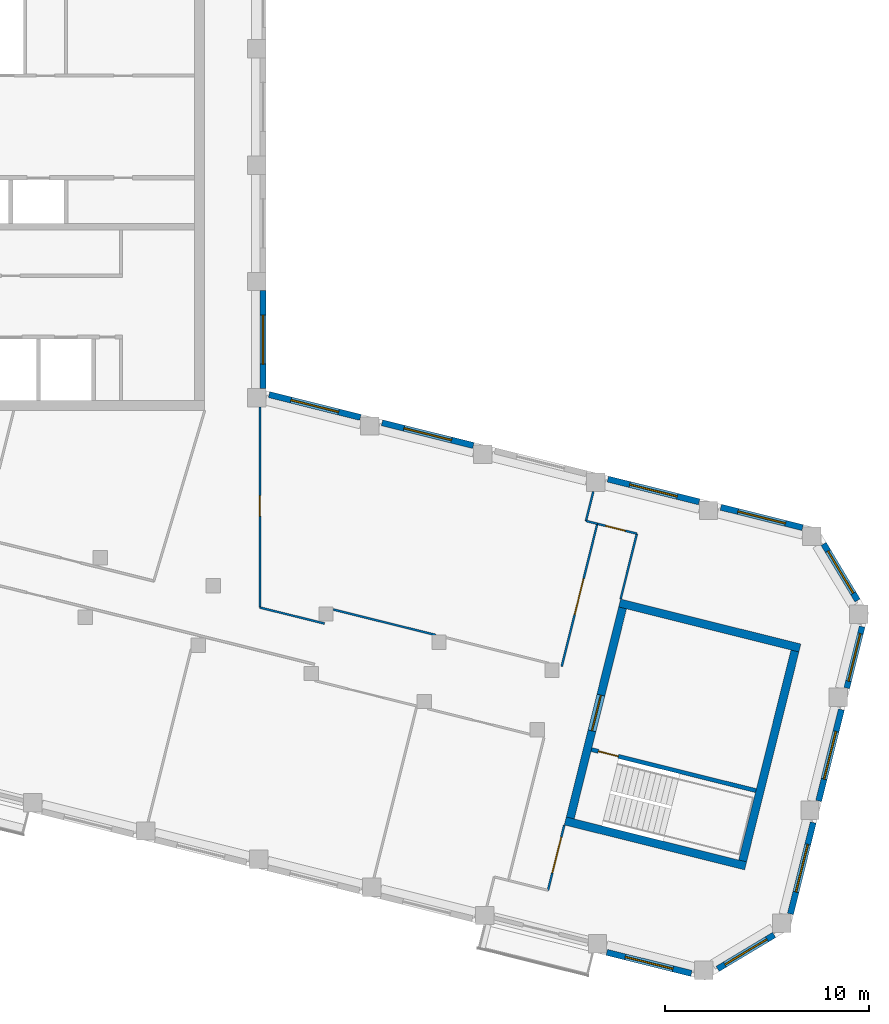
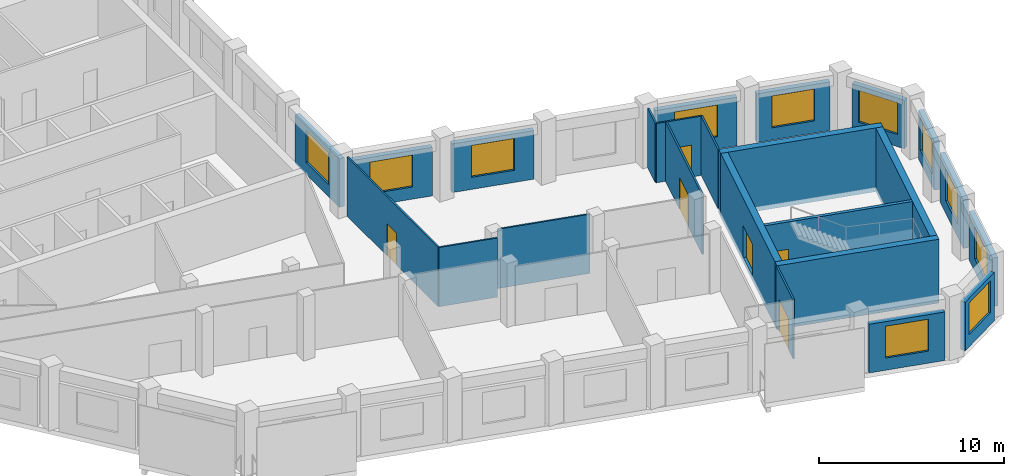
# One storey, part 4 of 8: 25 walls, 11 windows, 6 doors, 17 openings.
"""IFC4 building model written with IfcOpenShell, lengths in metres."""

from ifc_helpers import new_model, si_unit, direction, frame, frame_2d, origin, place, context, subcontext, project, spatial, rectangle, extrude, material, layer, layer_set, type_object, element, fill, save


model = new_model("IFC4")

# Units and contexts
model_context = context("Model", 3, precision=1e-05, world=origin(), true_north=direction((0.0, 1.0)))
body_context = subcontext(model_context, "Body", "Model", "MODEL_VIEW")
ifc_project = project(units=[si_unit("LENGTHUNIT", "METRE"), si_unit("AREAUNIT", "SQUARE_METRE"), si_unit("VOLUMEUNIT", "CUBIC_METRE"), si_unit("PLANEANGLEUNIT", "RADIAN"), si_unit("MASSUNIT", "GRAM", prefix="KILO")], contexts=[model_context])

# Site, building, storey
site_placement = place(None, origin())
site = spatial("IfcSite", under=ifc_project, at=site_placement, CompositionType="ELEMENT")
building_placement = place(site_placement, origin())
building = spatial("IfcBuilding", under=site, at=building_placement, Name="Meshkara Civic Tower", CompositionType="ELEMENT")
storey_placement = place(building_placement, frame((0.0, 0.0, 358.199951171875)))
storey = spatial("IfcBuildingStorey", under=building, at=storey_placement, Name="L82", CompositionType="ELEMENT", Elevation=358.199951171875)

# Wall, opening, door
ifc_material_1 = material(Name="Corridor wall 100")
ifc_layer_1 = layer(ifc_material_1, 0.10009765625)
ifc_layer_set_1 = layer_set([ifc_layer_1], Name="Corridor wall 100")
wall_type_1 = type_object("IfcWallType", Name="Corridor wall 100", PredefinedType="PARTITIONING", material=ifc_layer_set_1)
wall_1_placement = place(storey_placement, frame((33.5, 4.452880859375, 0.0), z_axis=(0.0, 0.0, 1.0), x_axis=(0.0, 1.0, 0.0)))
wall_1 = element("IfcWall", 1, at=wall_1_placement, inside=storey, type_object=wall_type_1, Name="L82-W020", PredefinedType="PARTITIONING", context=body_context, shape_type="SweptSolid", body=[
    extrude(rectangle(XDim=9.816162109375, YDim=0.10009765625, at=frame_2d((4.908203125, 0.0))), origin(), (0.0, 0.0, 1.0), 3.900146484375),
])
opening_1_placement = place(wall_1_placement, frame((4.47998046875, 0.0, 0.0)))
opening_1 = element("IfcOpeningElement", 2, at=opening_1_placement, cuts=wall_1, Name="Opening L82-D009", PredefinedType="OPENING", context=body_context, shape_type="SweptSolid", body=[
    extrude(rectangle(XDim=1.0, YDim=2.10009765625, at=frame_2d((0.5, 1.050048828125))), frame((0.0, 0.06005859375, 0.0), z_axis=(0.0, -1.0, 0.0), x_axis=(1.0, 0.0, 0.0)), (0.0, 0.0, 1.0), 0.1201171875),
])
ifc_material_2 = material(Name="Door 1000 x 2100")
door_type_1 = type_object("IfcDoorType", Name="Door 1000 x 2100", OperationType="SINGLE_SWING_LEFT", PredefinedType="DOOR", material=ifc_material_2)
door_1_placement = place(opening_1_placement, origin())
door_1 = element("IfcDoor", 3, at=door_1_placement, inside=storey, type_object=door_type_1, Name="L82-D009", OperationType="SINGLE_SWING_LEFT", OverallHeight=2.10009765625, OverallWidth=1.0, PredefinedType="DOOR", context=body_context, shape_type="SweptSolid", body=[
    extrude(rectangle(XDim=1.0, YDim=2.10009765625, at=frame_2d((0.5, 1.050048828125))), frame((0.0, 0.02490234375, 0.0), z_axis=(0.0, -1.0, 0.0), x_axis=(1.0, 0.0, 0.0)), (0.0, 0.0, 1.0), 0.050048828125),
])
fill(opening_1, door_1)

# Walls
wall_2_placement = place(storey_placement, frame((36.669921875, 3.6630859375, 0.0), z_axis=(0.0, 0.0, 1.0), x_axis=(-0.970335618677, 0.241761839681, 0.0)))
element("IfcWall", 4, at=wall_2_placement, inside=storey, type_object=wall_type_1, Name="L82-W022", PredefinedType="PARTITIONING", context=body_context, shape_type="SweptSolid", body=[
    extrude(rectangle(XDim=3.266845703125, YDim=0.10009765625, at=frame_2d((1.63330078125, 0.0))), origin(), (0.0, 0.0, 1.0), 3.900146484375),
])
wall_3_placement = place(storey_placement, frame((42.10888671875, 3.10498046875, 0.0), z_axis=(0.0, 0.0, 1.0), x_axis=(-0.970289531541, 0.241946739969, 0.0)))
element("IfcWall", 5, at=wall_3_placement, inside=storey, type_object=wall_type_1, Name="L82-W024", PredefinedType="PARTITIONING", context=body_context, shape_type="SweptSolid", body=[
    extrude(rectangle(XDim=5.17041015625, YDim=0.10009765625, at=frame_2d((2.585205078125, 0.0))), origin(), (0.0, 0.0, 1.0), 3.900146484375),
])

# Wall, opening, door
wall_4_placement = place(storey_placement, frame((47.611083984375, -9.39697265625, 0.0), z_axis=(0.0, 0.0, 1.0), x_axis=(0.241786986316, 0.970329352977, 0.0)))
wall_4 = element("IfcWall", 6, at=wall_4_placement, inside=storey, type_object=wall_type_1, Name="L82-W027", PredefinedType="PARTITIONING", context=body_context, shape_type="SweptSolid", body=[
    extrude(rectangle(XDim=3.2998046875, YDim=0.10009765625, at=frame_2d((1.64990234375, 0.0))), origin(), (0.0, 0.0, 1.0), 3.900146484375),
])
opening_2_placement = place(wall_4_placement, frame((0.8798828125, 0.0, 0.0)))
opening_2 = element("IfcOpeningElement", 7, at=opening_2_placement, cuts=wall_4, Name="Opening L82-D001", PredefinedType="OPENING", context=body_context, shape_type="SweptSolid", body=[
    extrude(rectangle(XDim=1.800048828125, YDim=2.10009765625, at=frame_2d((0.89990234375, 1.050048828125))), frame((0.0, 0.06005859375, 0.0), z_axis=(0.0, -1.0, 0.0), x_axis=(1.0, 0.0, 0.0)), (0.0, 0.0, 1.0), 0.1201171875),
])
ifc_material_3 = material(Name="Door pair 1800 x 2100")
door_type_2 = type_object("IfcDoorType", Name="Door pair 1800 x 2100", OperationType="SINGLE_SWING_LEFT", PredefinedType="DOOR", material=ifc_material_3)
door_2_placement = place(opening_2_placement, origin())
door_2 = element("IfcDoor", 8, at=door_2_placement, inside=storey, type_object=door_type_2, Name="L82-D001", OperationType="DOUBLE_DOOR_SINGLE_SWING", OverallHeight=2.10009765625, OverallWidth=1.800048828125, PredefinedType="DOOR", context=body_context, shape_type="SweptSolid", body=[
    extrude(rectangle(XDim=1.800048828125, YDim=2.10009765625, at=frame_2d((0.89990234375, 1.050048828125))), frame((0.0, 0.02490234375, 0.0), z_axis=(0.0, -1.0, 0.0), x_axis=(1.0, 0.0, 0.0)), (0.0, 0.0, 1.0), 0.050048828125),
])
fill(opening_2, door_2)

wall_5_placement = place(storey_placement, frame((50.02490234375, 8.552001953125, 0.0), z_axis=(0.0, 0.0, 1.0), x_axis=(-0.241937193493, -0.970291911955, 0.0)))
wall_5 = element("IfcWall", 9, at=wall_5_placement, inside=storey, type_object=wall_type_1, Name="L82-W029", PredefinedType="PARTITIONING", context=body_context, shape_type="SweptSolid", body=[
    extrude(rectangle(XDim=7.199951171875, YDim=0.10009765625, at=frame_2d((3.60009765625, 0.0))), origin(), (0.0, 0.0, 1.0), 3.900146484375),
])
opening_3_placement = place(wall_5_placement, frame((2.780029296875, 0.0, 0.0)))
opening_3 = element("IfcOpeningElement", 10, at=opening_3_placement, cuts=wall_5, Name="Opening L82-D005", PredefinedType="OPENING", context=body_context, shape_type="SweptSolid", body=[
    extrude(rectangle(XDim=1.800048828125, YDim=2.10009765625, at=frame_2d((0.89990234375, 1.050048828125))), frame((0.0, 0.06005859375, 0.0), z_axis=(0.0, -1.0, 0.0), x_axis=(1.0, 0.0, 0.0)), (0.0, 0.0, 1.0), 0.1201171875),
])
door_3_placement = place(opening_3_placement, origin())
door_3 = element("IfcDoor", 11, at=door_3_placement, inside=storey, type_object=door_type_2, Name="L82-D005", OperationType="DOUBLE_DOOR_SINGLE_SWING", OverallHeight=2.10009765625, OverallWidth=1.800048828125, PredefinedType="DOOR", context=body_context, shape_type="SweptSolid", body=[
    extrude(rectangle(XDim=1.800048828125, YDim=2.10009765625, at=frame_2d((0.89990234375, 1.050048828125))), frame((0.0, 0.02490234375, 0.0), z_axis=(0.0, -1.0, 0.0), x_axis=(1.0, 0.0, 0.0)), (0.0, 0.0, 1.0), 0.050048828125),
])
fill(opening_3, door_3)

# Wall
wall_6_placement = place(storey_placement, frame((51.1669921875, 4.865966796875, 0.0), z_axis=(0.0, 0.0, 1.0), x_axis=(0.241839284064, 0.97031631991, 0.0)))
element("IfcWall", 12, at=wall_6_placement, inside=storey, type_object=wall_type_1, Name="L82-W030", PredefinedType="PARTITIONING", context=body_context, shape_type="SweptSolid", body=[
    extrude(rectangle(XDim=3.300048828125, YDim=0.10009765625, at=frame_2d((1.64990234375, 0.0))), origin(), (0.0, 0.0, 1.0), 3.900146484375),
])

# Wall, opening, door
wall_7_placement = place(storey_placement, frame((51.965087890625, 8.068115234375, 0.0), z_axis=(0.0, 0.0, 1.0), x_axis=(-0.970278804284, 0.241989755894, 0.0)))
wall_7 = element("IfcWall", 13, at=wall_7_placement, inside=storey, type_object=wall_type_1, Name="L82-W031", PredefinedType="PARTITIONING", context=body_context, shape_type="SweptSolid", body=[
    extrude(rectangle(XDim=1.99951171875, YDim=0.10009765625, at=frame_2d((0.999755859375, 0.0))), origin(), (0.0, 0.0, 1.0), 3.900146484375),
])
opening_4_placement = place(wall_7_placement, frame((0.580078125, 0.0, 0.0)))
opening_4 = element("IfcOpeningElement", 14, at=opening_4_placement, cuts=wall_7, Name="Opening L82-D010", PredefinedType="OPENING", context=body_context, shape_type="SweptSolid", body=[
    extrude(rectangle(XDim=1.0, YDim=2.10009765625, at=frame_2d((0.5, 1.050048828125))), frame((0.0, 0.06005859375, 0.0), z_axis=(0.0, -1.0, 0.0), x_axis=(1.0, 0.0, 0.0)), (0.0, 0.0, 1.0), 0.1201171875),
])
door_4_placement = place(opening_4_placement, origin())
door_4 = element("IfcDoor", 15, at=door_4_placement, inside=storey, type_object=door_type_1, Name="L82-D010", OperationType="SINGLE_SWING_LEFT", OverallHeight=2.10009765625, OverallWidth=1.0, PredefinedType="DOOR", context=body_context, shape_type="SweptSolid", body=[
    extrude(rectangle(XDim=1.0, YDim=2.10009765625, at=frame_2d((0.5, 1.050048828125))), frame((0.0, 0.02490234375, 0.0), z_axis=(0.0, -1.0, 0.0), x_axis=(1.0, 0.0, 0.0)), (0.0, 0.0, 1.0), 0.050048828125),
])
fill(opening_4, door_4)

# Wall, opening, window
ifc_material_4 = material(Name="Insulated infill panel with bronze anodised aluminium cladding", Category="aluminium")
ifc_layer_2 = layer(ifc_material_4, 0.300048828125)
ifc_layer_set_2 = layer_set([ifc_layer_2], Name="EXTERNAL INFILL WALL 300")
wall_type_2 = type_object("IfcWallType", Name="EXTERNAL INFILL WALL 300", PredefinedType="SOLIDWALL", material=ifc_layer_set_2)
wall_8_placement = place(storey_placement, frame((60.075927734375, 8.364990234375, 0.0), z_axis=(0.0, 0.0, 1.0), x_axis=(-0.970323340708, 0.24181111322, 0.0)))
wall_8 = element("IfcWall", 16, at=wall_8_placement, inside=storey, type_object=wall_type_2, Name="External wall", PredefinedType="SOLIDWALL", context=body_context, shape_type="SweptSolid", body=[
    extrude(rectangle(XDim=4.123291015625, YDim=0.300048828125, at=frame_2d((2.0615234375, 0.0))), origin(), (0.0, 0.0, 1.0), 3.199951171875),
])
opening_5_placement = place(wall_8_placement, frame((0.862060546875, 0.0, 0.800048828125)))
opening_5 = element("IfcOpeningElement", 17, at=opening_5_placement, cuts=wall_8, Name="Opening W7", PredefinedType="OPENING", context=body_context, shape_type="SweptSolid", body=[
    extrude(rectangle(XDim=2.39990234375, YDim=2.10009765625, at=frame_2d((1.199951171875, 1.050048828125))), frame((0.0, 0.159912109375, 0.0), z_axis=(0.0, -1.0, 0.0), x_axis=(1.0, 0.0, 0.0)), (0.0, 0.0, 1.0), 0.320068359375),
])
ifc_material_5 = material(Name="Tinted double glazing", Category="glass")
window_type = type_object("IfcWindowType", Name="WINDOW 2400x2100", PartitioningType="DOUBLE_PANEL_VERTICAL", PredefinedType="WINDOW", material=ifc_material_5)
window_1_placement = place(opening_5_placement, origin())
window_1 = element("IfcWindow", 18, at=window_1_placement, inside=storey, type_object=window_type, Name="Window", OverallHeight=2.10009765625, OverallWidth=2.39990234375, PartitioningType="DOUBLE_PANEL_VERTICAL", PredefinedType="WINDOW", context=body_context, shape_type="SweptSolid", body=[
    extrude(rectangle(XDim=2.39990234375, YDim=2.10009765625, at=frame_2d((1.199951171875, 1.050048828125))), frame((0.0, 0.030029296875, 0.0), z_axis=(0.0, -1.0, 0.0), x_axis=(1.0, 0.0, 0.0)), (0.0, 0.0, 1.0), 0.06005859375),
])
fill(opening_5, window_1)

wall_9_placement = place(storey_placement, frame((55.01611328125, 9.6259765625, 0.0), z_axis=(0.0, 0.0, 1.0), x_axis=(-0.970298093093, 0.241912402618, 0.0)))
wall_9 = element("IfcWall", 19, at=wall_9_placement, inside=storey, type_object=wall_type_2, Name="External wall", PredefinedType="SOLIDWALL", context=body_context, shape_type="SweptSolid", body=[
    extrude(rectangle(XDim=4.609130859375, YDim=0.300048828125, at=frame_2d((2.3046875, 0.0))), origin(), (0.0, 0.0, 1.0), 3.199951171875),
])
opening_6_placement = place(wall_9_placement, frame((1.10498046875, 0.0, 0.800048828125)))
opening_6 = element("IfcOpeningElement", 20, at=opening_6_placement, cuts=wall_9, Name="Opening W7", PredefinedType="OPENING", context=body_context, shape_type="SweptSolid", body=[
    extrude(rectangle(XDim=2.39990234375, YDim=2.10009765625, at=frame_2d((1.199951171875, 1.050048828125))), frame((0.0, 0.159912109375, 0.0), z_axis=(0.0, -1.0, 0.0), x_axis=(1.0, 0.0, 0.0)), (0.0, 0.0, 1.0), 0.320068359375),
])
window_2_placement = place(opening_6_placement, origin())
window_2 = element("IfcWindow", 21, at=window_2_placement, inside=storey, type_object=window_type, Name="Window", OverallHeight=2.10009765625, OverallWidth=2.39990234375, PartitioningType="DOUBLE_PANEL_VERTICAL", PredefinedType="WINDOW", context=body_context, shape_type="SweptSolid", body=[
    extrude(rectangle(XDim=2.39990234375, YDim=2.10009765625, at=frame_2d((1.199951171875, 1.050048828125))), frame((0.0, 0.030029296875, 0.0), z_axis=(0.0, -1.0, 0.0), x_axis=(1.0, 0.0, 0.0)), (0.0, 0.0, 1.0), 0.06005859375),
])
fill(opening_6, window_2)

wall_10_placement = place(storey_placement, frame((43.9541015625, 12.384033203125, 0.0), z_axis=(0.0, 0.0, 1.0), x_axis=(-0.970285689791, 0.241962146187, 0.0)))
wall_10 = element("IfcWall", 22, at=wall_10_placement, inside=storey, type_object=wall_type_2, Name="External wall", PredefinedType="SOLIDWALL", context=body_context, shape_type="SweptSolid", body=[
    extrude(rectangle(XDim=4.608154296875, YDim=0.300048828125, at=frame_2d((2.30419921875, 0.0))), origin(), (0.0, 0.0, 1.0), 3.199951171875),
])
opening_7_placement = place(wall_10_placement, frame((1.10400390625, 0.0, 0.800048828125)))
opening_7 = element("IfcOpeningElement", 23, at=opening_7_placement, cuts=wall_10, Name="Opening W7", PredefinedType="OPENING", context=body_context, shape_type="SweptSolid", body=[
    extrude(rectangle(XDim=2.39990234375, YDim=2.10009765625, at=frame_2d((1.199951171875, 1.050048828125))), frame((0.0, 0.159912109375, 0.0), z_axis=(0.0, -1.0, 0.0), x_axis=(1.0, 0.0, 0.0)), (0.0, 0.0, 1.0), 0.320068359375),
])
window_3_placement = place(opening_7_placement, origin())
window_3 = element("IfcWindow", 24, at=window_3_placement, inside=storey, type_object=window_type, Name="Window", OverallHeight=2.10009765625, OverallWidth=2.39990234375, PartitioningType="DOUBLE_PANEL_VERTICAL", PredefinedType="WINDOW", context=body_context, shape_type="SweptSolid", body=[
    extrude(rectangle(XDim=2.39990234375, YDim=2.10009765625, at=frame_2d((1.199951171875, 1.050048828125))), frame((0.0, 0.030029296875, 0.0), z_axis=(0.0, -1.0, 0.0), x_axis=(1.0, 0.0, 0.0)), (0.0, 0.0, 1.0), 0.06005859375),
])
fill(opening_7, window_3)

wall_11_placement = place(storey_placement, frame((38.424072265625, 13.762939453125, 0.0), z_axis=(0.0, 0.0, 1.0), x_axis=(-0.970248341479, 0.24211186641, 0.0)))
wall_11 = element("IfcWall", 25, at=wall_11_placement, inside=storey, type_object=wall_type_2, Name="External wall", PredefinedType="SOLIDWALL", context=body_context, shape_type="SweptSolid", body=[
    extrude(rectangle(XDim=4.609375, YDim=0.300048828125, at=frame_2d((2.3046875, 0.0))), origin(), (0.0, 0.0, 1.0), 3.199951171875),
])
opening_8_placement = place(wall_11_placement, frame((1.10498046875, 0.0, 0.800048828125)))
opening_8 = element("IfcOpeningElement", 26, at=opening_8_placement, cuts=wall_11, Name="Opening W7", PredefinedType="OPENING", context=body_context, shape_type="SweptSolid", body=[
    extrude(rectangle(XDim=2.39990234375, YDim=2.10009765625, at=frame_2d((1.199951171875, 1.050048828125))), frame((0.0, 0.159912109375, 0.0), z_axis=(0.0, -1.0, 0.0), x_axis=(1.0, 0.0, 0.0)), (0.0, 0.0, 1.0), 0.320068359375),
])
window_4_placement = place(opening_8_placement, origin())
window_4 = element("IfcWindow", 27, at=window_4_placement, inside=storey, type_object=window_type, Name="Window", OverallHeight=2.10009765625, OverallWidth=2.39990234375, PartitioningType="DOUBLE_PANEL_VERTICAL", PredefinedType="WINDOW", context=body_context, shape_type="SweptSolid", body=[
    extrude(rectangle(XDim=2.39990234375, YDim=2.10009765625, at=frame_2d((1.199951171875, 1.050048828125))), frame((0.0, 0.030029296875, 0.0), z_axis=(0.0, -1.0, 0.0), x_axis=(1.0, 0.0, 0.0)), (0.0, 0.0, 1.0), 0.06005859375),
])
fill(opening_8, window_4)

wall_12_placement = place(storey_placement, frame((33.64990234375, 15.1689453125, 0.0), z_axis=(0.0, 0.0, 1.0), x_axis=(0.0, 1.0, 0.0)))
wall_12 = element("IfcWall", 28, at=wall_12_placement, inside=storey, type_object=wall_type_2, Name="External wall", PredefinedType="SOLIDWALL", context=body_context, shape_type="SweptSolid", body=[
    extrude(rectangle(XDim=4.800048828125, YDim=0.300048828125, at=frame_2d((2.39990234375, 0.0))), origin(), (0.0, 0.0, 1.0), 3.199951171875),
])
opening_9_placement = place(wall_12_placement, frame((1.199951171875, 0.0, 0.800048828125)))
opening_9 = element("IfcOpeningElement", 29, at=opening_9_placement, cuts=wall_12, Name="Opening W7", PredefinedType="OPENING", context=body_context, shape_type="SweptSolid", body=[
    extrude(rectangle(XDim=2.39990234375, YDim=2.10009765625, at=frame_2d((1.199951171875, 1.050048828125))), frame((0.0, 0.159912109375, 0.0), z_axis=(0.0, -1.0, 0.0), x_axis=(1.0, 0.0, 0.0)), (0.0, 0.0, 1.0), 0.320068359375),
])
window_5_placement = place(opening_9_placement, origin())
window_5 = element("IfcWindow", 30, at=window_5_placement, inside=storey, type_object=window_type, Name="Window", OverallHeight=2.10009765625, OverallWidth=2.39990234375, PartitioningType="DOUBLE_PANEL_VERTICAL", PredefinedType="WINDOW", context=body_context, shape_type="SweptSolid", body=[
    extrude(rectangle(XDim=2.39990234375, YDim=2.10009765625, at=frame_2d((1.199951171875, 1.050048828125))), frame((0.0, 0.030029296875, 0.0), z_axis=(0.0, -1.0, 0.0), x_axis=(1.0, 0.0, 0.0)), (0.0, 0.0, 1.0), 0.06005859375),
])
fill(opening_9, window_5)

wall_13_placement = place(storey_placement, frame((50.491943359375, -12.43505859375, 0.0), z_axis=(0.0, 0.0, 1.0), x_axis=(0.970323940244, -0.241808707429, 0.0)))
wall_13 = element("IfcWall", 31, at=wall_13_placement, inside=storey, type_object=wall_type_2, Name="External wall", PredefinedType="SOLIDWALL", context=body_context, shape_type="SweptSolid", body=[
    extrude(rectangle(XDim=4.267822265625, YDim=0.300048828125, at=frame_2d((2.1337890625, 0.0))), origin(), (0.0, 0.0, 1.0), 3.199951171875),
])
opening_10_placement = place(wall_13_placement, frame((0.93408203125, 0.0, 0.800048828125)))
opening_10 = element("IfcOpeningElement", 32, at=opening_10_placement, cuts=wall_13, Name="Opening W7", PredefinedType="OPENING", context=body_context, shape_type="SweptSolid", body=[
    extrude(rectangle(XDim=2.39990234375, YDim=2.10009765625, at=frame_2d((1.199951171875, 1.050048828125))), frame((0.0, 0.159912109375, 0.0), z_axis=(0.0, -1.0, 0.0), x_axis=(1.0, 0.0, 0.0)), (0.0, 0.0, 1.0), 0.320068359375),
])
window_6_placement = place(opening_10_placement, origin())
window_6 = element("IfcWindow", 33, at=window_6_placement, inside=storey, type_object=window_type, Name="Window", OverallHeight=2.10009765625, OverallWidth=2.39990234375, PartitioningType="DOUBLE_PANEL_VERTICAL", PredefinedType="WINDOW", context=body_context, shape_type="SweptSolid", body=[
    extrude(rectangle(XDim=2.39990234375, YDim=2.10009765625, at=frame_2d((1.199951171875, 1.050048828125))), frame((0.0, 0.030029296875, 0.0), z_axis=(0.0, -1.0, 0.0), x_axis=(1.0, 0.0, 0.0)), (0.0, 0.0, 1.0), 0.06005859375),
])
fill(opening_10, window_6)

wall_14_placement = place(storey_placement, frame((55.9189453125, -13.2470703125, 0.0), z_axis=(0.0, 0.0, 1.0), x_axis=(0.857239224167, 0.514918355226, 0.0)))
wall_14 = element("IfcWall", 34, at=wall_14_placement, inside=storey, type_object=wall_type_2, Name="External wall", PredefinedType="SOLIDWALL", context=body_context, shape_type="SweptSolid", body=[
    extrude(rectangle(XDim=3.22802734375, YDim=0.300048828125, at=frame_2d((1.614013671875, 0.0))), origin(), (0.0, 0.0, 1.0), 3.199951171875),
])
opening_11_placement = place(wall_14_placement, frame((0.4140625, 0.0, 0.800048828125)))
opening_11 = element("IfcOpeningElement", 35, at=opening_11_placement, cuts=wall_14, Name="Opening W7", PredefinedType="OPENING", context=body_context, shape_type="SweptSolid", body=[
    extrude(rectangle(XDim=2.39990234375, YDim=2.10009765625, at=frame_2d((1.199951171875, 1.050048828125))), frame((0.0, 0.159912109375, 0.0), z_axis=(0.0, -1.0, 0.0), x_axis=(1.0, 0.0, 0.0)), (0.0, 0.0, 1.0), 0.320068359375),
])
window_7_placement = place(opening_11_placement, origin())
window_7 = element("IfcWindow", 36, at=window_7_placement, inside=storey, type_object=window_type, Name="Window", OverallHeight=2.10009765625, OverallWidth=2.39990234375, PartitioningType="DOUBLE_PANEL_VERTICAL", PredefinedType="WINDOW", context=body_context, shape_type="SweptSolid", body=[
    extrude(rectangle(XDim=2.39990234375, YDim=2.10009765625, at=frame_2d((1.199951171875, 1.050048828125))), frame((0.0, 0.030029296875, 0.0), z_axis=(0.0, -1.0, 0.0), x_axis=(1.0, 0.0, 0.0)), (0.0, 0.0, 1.0), 0.06005859375),
])
fill(opening_11, window_7)

wall_15_placement = place(storey_placement, frame((59.485107421875, -10.552001953125, 0.0), z_axis=(0.0, 0.0, 1.0), x_axis=(0.241924836652, 0.970294992984, 0.0)))
wall_15 = element("IfcWall", 37, at=wall_15_placement, inside=storey, type_object=wall_type_2, Name="External wall", PredefinedType="SOLIDWALL", context=body_context, shape_type="SweptSolid", body=[
    extrude(rectangle(XDim=4.60888671875, YDim=0.300048828125, at=frame_2d((2.304443359375, 0.0))), origin(), (0.0, 0.0, 1.0), 3.199951171875),
])
opening_12_placement = place(wall_15_placement, frame((1.10498046875, 0.0, 0.800048828125)))
opening_12 = element("IfcOpeningElement", 38, at=opening_12_placement, cuts=wall_15, Name="Opening W7", PredefinedType="OPENING", context=body_context, shape_type="SweptSolid", body=[
    extrude(rectangle(XDim=2.39990234375, YDim=2.10009765625, at=frame_2d((1.199951171875, 1.050048828125))), frame((0.0, 0.159912109375, 0.0), z_axis=(0.0, -1.0, 0.0), x_axis=(1.0, 0.0, 0.0)), (0.0, 0.0, 1.0), 0.320068359375),
])
window_8_placement = place(opening_12_placement, origin())
window_8 = element("IfcWindow", 39, at=window_8_placement, inside=storey, type_object=window_type, Name="Window", OverallHeight=2.10009765625, OverallWidth=2.39990234375, PartitioningType="DOUBLE_PANEL_VERTICAL", PredefinedType="WINDOW", context=body_context, shape_type="SweptSolid", body=[
    extrude(rectangle(XDim=2.39990234375, YDim=2.10009765625, at=frame_2d((1.199951171875, 1.050048828125))), frame((0.0, 0.030029296875, 0.0), z_axis=(0.0, -1.0, 0.0), x_axis=(1.0, 0.0, 0.0)), (0.0, 0.0, 1.0), 0.06005859375),
])
fill(opening_12, window_8)

wall_16_placement = place(storey_placement, frame((60.864013671875, -5.02099609375, 0.0), z_axis=(0.0, 0.0, 1.0), x_axis=(0.241775045801, 0.97033232824, 0.0)))
wall_16 = element("IfcWall", 40, at=wall_16_placement, inside=storey, type_object=wall_type_2, Name="External wall", PredefinedType="SOLIDWALL", context=body_context, shape_type="SweptSolid", body=[
    extrude(rectangle(XDim=4.607666015625, YDim=0.300048828125, at=frame_2d((2.3037109375, 0.0))), origin(), (0.0, 0.0, 1.0), 3.199951171875),
])
opening_13_placement = place(wall_16_placement, frame((1.10400390625, 0.0, 0.800048828125)))
opening_13 = element("IfcOpeningElement", 41, at=opening_13_placement, cuts=wall_16, Name="Opening W7", PredefinedType="OPENING", context=body_context, shape_type="SweptSolid", body=[
    extrude(rectangle(XDim=2.39990234375, YDim=2.10009765625, at=frame_2d((1.199951171875, 1.050048828125))), frame((0.0, 0.159912109375, 0.0), z_axis=(0.0, -1.0, 0.0), x_axis=(1.0, 0.0, 0.0)), (0.0, 0.0, 1.0), 0.320068359375),
])
window_9_placement = place(opening_13_placement, origin())
window_9 = element("IfcWindow", 42, at=window_9_placement, inside=storey, type_object=window_type, Name="Window", OverallHeight=2.10009765625, OverallWidth=2.39990234375, PartitioningType="DOUBLE_PANEL_VERTICAL", PredefinedType="WINDOW", context=body_context, shape_type="SweptSolid", body=[
    extrude(rectangle(XDim=2.39990234375, YDim=2.10009765625, at=frame_2d((1.199951171875, 1.050048828125))), frame((0.0, 0.030029296875, 0.0), z_axis=(0.0, -1.0, 0.0), x_axis=(1.0, 0.0, 0.0)), (0.0, 0.0, 1.0), 0.06005859375),
])
fill(opening_13, window_9)

wall_17_placement = place(storey_placement, frame((62.241943359375, 0.509033203125, 0.0), z_axis=(0.0, 0.0, 1.0), x_axis=(0.241941811838, 0.970290760383, 0.0)))
wall_17 = element("IfcWall", 43, at=wall_17_placement, inside=storey, type_object=wall_type_2, Name="External wall", PredefinedType="SOLIDWALL", context=body_context, shape_type="SweptSolid", body=[
    extrude(rectangle(XDim=3.095947265625, YDim=0.300048828125, at=frame_2d((1.5478515625, 0.0))), origin(), (0.0, 0.0, 1.0), 3.199951171875),
])
opening_14_placement = place(wall_17_placement, frame((0.347900390625, 0.0, 0.800048828125)))
opening_14 = element("IfcOpeningElement", 44, at=opening_14_placement, cuts=wall_17, Name="Opening W7", PredefinedType="OPENING", context=body_context, shape_type="SweptSolid", body=[
    extrude(rectangle(XDim=2.39990234375, YDim=2.10009765625, at=frame_2d((1.199951171875, 1.050048828125))), frame((0.0, 0.159912109375, 0.0), z_axis=(0.0, -1.0, 0.0), x_axis=(1.0, 0.0, 0.0)), (0.0, 0.0, 1.0), 0.320068359375),
])
window_10_placement = place(opening_14_placement, origin())
window_10 = element("IfcWindow", 45, at=window_10_placement, inside=storey, type_object=window_type, Name="Window", OverallHeight=2.10009765625, OverallWidth=2.39990234375, PartitioningType="DOUBLE_PANEL_VERTICAL", PredefinedType="WINDOW", context=body_context, shape_type="SweptSolid", body=[
    extrude(rectangle(XDim=2.39990234375, YDim=2.10009765625, at=frame_2d((1.199951171875, 1.050048828125))), frame((0.0, 0.030029296875, 0.0), z_axis=(0.0, -1.0, 0.0), x_axis=(1.0, 0.0, 0.0)), (0.0, 0.0, 1.0), 0.06005859375),
])
fill(opening_14, window_10)

wall_18_placement = place(storey_placement, frame((62.77099609375, 4.799072265625, 0.0), z_axis=(0.0, 0.0, 1.0), x_axis=(-0.514951742604, 0.857219168468, 0.0)))
wall_18 = element("IfcWall", 46, at=wall_18_placement, inside=storey, type_object=wall_type_2, Name="External wall", PredefinedType="SOLIDWALL", context=body_context, shape_type="SweptSolid", body=[
    extrude(rectangle(XDim=3.227783203125, YDim=0.300048828125, at=frame_2d((1.61376953125, 0.0))), origin(), (0.0, 0.0, 1.0), 3.199951171875),
])
opening_15_placement = place(wall_18_placement, frame((0.4140625, 0.0, 0.800048828125)))
opening_15 = element("IfcOpeningElement", 47, at=opening_15_placement, cuts=wall_18, Name="Opening W7", PredefinedType="OPENING", context=body_context, shape_type="SweptSolid", body=[
    extrude(rectangle(XDim=2.39990234375, YDim=2.10009765625, at=frame_2d((1.199951171875, 1.050048828125))), frame((0.0, 0.159912109375, 0.0), z_axis=(0.0, -1.0, 0.0), x_axis=(1.0, 0.0, 0.0)), (0.0, 0.0, 1.0), 0.320068359375),
])
window_11_placement = place(opening_15_placement, origin())
window_11 = element("IfcWindow", 48, at=window_11_placement, inside=storey, type_object=window_type, Name="Window", OverallHeight=2.10009765625, OverallWidth=2.39990234375, PartitioningType="DOUBLE_PANEL_VERTICAL", PredefinedType="WINDOW", context=body_context, shape_type="SweptSolid", body=[
    extrude(rectangle(XDim=2.39990234375, YDim=2.10009765625, at=frame_2d((1.199951171875, 1.050048828125))), frame((0.0, 0.030029296875, 0.0), z_axis=(0.0, -1.0, 0.0), x_axis=(1.0, 0.0, 0.0)), (0.0, 0.0, 1.0), 0.06005859375),
])
fill(opening_15, window_11)

# Walls
ifc_material_6 = material(Name="Concrete C50", Category="concrete")
ifc_layer_3 = layer(ifc_material_6, 0.39990234375)
ifc_layer_set_3 = layer_set([ifc_layer_3], Name="End core ring wall 400 C50")
wall_type_3 = type_object("IfcWallType", Name="End core ring wall 400 C50", PredefinedType="SHEAR", material=ifc_layer_set_3)
wall_19_placement = place(storey_placement, frame((48.4580078125, -6.0009765625, -0.300048828125), z_axis=(0.0, 0.0, 1.0), x_axis=(0.970281225948, -0.241980045814, 0.0)))
element("IfcWall", 49, at=wall_19_placement, inside=storey, type_object=wall_type_3, Name="L82-C032", PredefinedType="SHEAR", context=body_context, shape_type="SweptSolid", body=[
    extrude(rectangle(XDim=9.099609375, YDim=0.39990234375, at=frame_2d((4.5498046875, 0.0))), origin(), (0.0, 0.0, 1.0), 4.2001953125),
])
wall_20_placement = place(storey_placement, frame((51.118896484375, 4.672119140625, -0.300048828125), z_axis=(0.0, 0.0, 1.0), x_axis=(0.970300121521, -0.241904266553, 0.0)))
element("IfcWall", 50, at=wall_20_placement, inside=storey, type_object=wall_type_3, Name="L82-C033", PredefinedType="SHEAR", context=body_context, shape_type="SweptSolid", body=[
    extrude(rectangle(XDim=9.099365234375, YDim=0.39990234375, at=frame_2d((4.5498046875, 0.0))), origin(), (0.0, 0.0, 1.0), 4.2001953125),
])

# Wall, opening, door
wall_21_placement = place(storey_placement, frame((48.699951171875, -5.85595703125, -0.300048828125), z_axis=(0.0, 0.0, 1.0), x_axis=(0.241869030534, 0.970308905488, 0.0)))
wall_21 = element("IfcWall", 51, at=wall_21_placement, inside=storey, type_object=wall_type_3, Name="L82-C034", PredefinedType="SHEAR", context=body_context, shape_type="SweptSolid", body=[
    extrude(rectangle(XDim=10.6005859375, YDim=0.39990234375, at=frame_2d((5.30029296875, 0.0))), origin(), (0.0, 0.0, 1.0), 4.2001953125),
])
opening_16_placement = place(wall_21_placement, frame((4.39990234375, 0.0, 0.300048828125)))
opening_16 = element("IfcOpeningElement", 52, at=opening_16_placement, cuts=wall_21, Name="Opening L82-K202", PredefinedType="OPENING", context=body_context, shape_type="SweptSolid", body=[
    extrude(rectangle(XDim=1.800048828125, YDim=2.10009765625, at=frame_2d((0.89990234375, 1.050048828125))), frame((0.0, 0.2099609375, 0.0), z_axis=(0.0, -1.0, 0.0), x_axis=(1.0, 0.0, 0.0)), (0.0, 0.0, 1.0), 0.419921875),
])
ifc_material_7 = material(Name="Fire-rated door leaf in steel frame", Category="steel")
door_type_3 = type_object("IfcDoorType", Name="Core double door 1800 EI 60", OperationType="DOUBLE_DOOR_SINGLE_SWING", PredefinedType="DOOR", material=ifc_material_7)
door_5_placement = place(opening_16_placement, origin())
door_5 = element("IfcDoor", 53, at=door_5_placement, inside=storey, type_object=door_type_3, Name="L82-K202", OperationType="DOUBLE_DOOR_SINGLE_SWING", OverallHeight=2.10009765625, OverallWidth=1.800048828125, PredefinedType="DOOR", context=body_context, shape_type="SweptSolid", body=[
    extrude(rectangle(XDim=1.800048828125, YDim=2.10009765625, at=frame_2d((0.89990234375, 1.050048828125))), frame((0.0, 0.02490234375, 0.0), z_axis=(0.0, -1.0, 0.0), x_axis=(1.0, 0.0, 0.0)), (0.0, 0.0, 1.0), 0.050048828125),
])
fill(opening_16, door_5)

# Walls
wall_22_placement = place(storey_placement, frame((57.14208984375, -7.9599609375, -0.300048828125), z_axis=(0.0, 0.0, 1.0), x_axis=(0.241890652548, 0.970303515509, 0.0)))
element("IfcWall", 54, at=wall_22_placement, inside=storey, type_object=wall_type_3, Name="L82-C035", PredefinedType="SHEAR", context=body_context, shape_type="SweptSolid", body=[
    extrude(rectangle(XDim=10.599609375, YDim=0.39990234375, at=frame_2d((5.2998046875, 0.0))), origin(), (0.0, 0.0, 1.0), 4.2001953125),
])
ifc_material_8 = material(Name="Partition 100")
ifc_layer_4 = layer(ifc_material_8, 0.10009765625)
ifc_layer_set_4 = layer_set([ifc_layer_4], Name="Partition 100")
wall_type_4 = type_object("IfcWallType", Name="Partition 100", PredefinedType="PARTITIONING", material=ifc_layer_set_4)
wall_23_placement = place(storey_placement, frame((49.470947265625, 8.68994140625, 0.0), z_axis=(0.0, 0.0, 1.0), x_axis=(0.241646512959, 0.970364345375, 0.0)))
element("IfcWall", 55, at=wall_23_placement, inside=storey, type_object=wall_type_4, Name="L82-W042", PredefinedType="PARTITIONING", context=body_context, shape_type="SweptSolid", body=[
    extrude(rectangle(XDim=1.486083984375, YDim=0.10009765625, at=frame_2d((0.7431640625, 0.0))), origin(), (0.0, 0.0, 1.0), 3.900146484375),
])
wall_24_placement = place(storey_placement, frame((50.029052734375, 8.551025390625, 0.0), z_axis=(0.0, 0.0, 1.0), x_axis=(-0.970391687927, 0.241536688727, 0.0)))
element("IfcWall", 56, at=wall_24_placement, inside=storey, type_object=wall_type_4, Name="L82-W043", PredefinedType="PARTITIONING", context=body_context, shape_type="SweptSolid", body=[
    extrude(rectangle(XDim=0.5751953125, YDim=0.10009765625, at=frame_2d((0.28759765625, 0.0))), origin(), (0.0, 0.0, 1.0), 3.900146484375),
])

# Wall, opening, door
ifc_material_9 = material(Name="Concrete C40/50", Category="concrete")
ifc_layer_5 = layer(ifc_material_9, 0.199951171875)
ifc_layer_set_5 = layer_set([ifc_layer_5], Name="Stair enclosure wall 200 C40/50")
wall_type_5 = type_object("IfcWallType", Name="Stair enclosure wall 200 C40/50", PredefinedType="SOLIDWALL", material=ifc_layer_set_5)
wall_25_placement = place(storey_placement, frame((49.740966796875, -2.508056640625, 0.0), z_axis=(0.0, 0.0, 1.0), x_axis=(0.970289402158, -0.241947258837, 0.0)))
wall_25 = element("IfcWall", 57, at=wall_25_placement, inside=storey, type_object=wall_type_5, Name="L82-C036", PredefinedType="SOLIDWALL", context=body_context, shape_type="SweptSolid", body=[
    extrude(rectangle(XDim=8.299560546875, YDim=0.199951171875, at=frame_2d((4.14990234375, 0.0))), origin(), (0.0, 0.0, 1.0), 3.900146484375),
])
opening_17_placement = place(wall_25_placement, frame((0.35009765625, 0.0, 0.0)))
opening_17 = element("IfcOpeningElement", 58, at=opening_17_placement, cuts=wall_25, Name="Opening L82-K201", PredefinedType="OPENING", context=body_context, shape_type="SweptSolid", body=[
    extrude(rectangle(XDim=1.0, YDim=2.10009765625, at=frame_2d((0.5, 1.050048828125))), frame((0.0, 0.10986328125, 0.0), z_axis=(0.0, -1.0, 0.0), x_axis=(1.0, 0.0, 0.0)), (0.0, 0.0, 1.0), 0.219970703125),
])
ifc_material_10 = material(Name="Fire-rated door leaf in steel frame", Category="steel")
door_type_4 = type_object("IfcDoorType", Name="Stair door 1000 EI 120", OperationType="SINGLE_SWING_LEFT", PredefinedType="DOOR", material=ifc_material_10)
door_6_placement = place(opening_17_placement, origin())
door_6 = element("IfcDoor", 59, at=door_6_placement, inside=storey, type_object=door_type_4, Name="L82-K201", OperationType="SINGLE_SWING_LEFT", OverallHeight=2.10009765625, OverallWidth=1.0, PredefinedType="DOOR", context=body_context, shape_type="SweptSolid", body=[
    extrude(rectangle(XDim=1.0, YDim=2.10009765625, at=frame_2d((0.5, 1.050048828125))), frame((0.0, 0.02490234375, 0.0), z_axis=(0.0, -1.0, 0.0), x_axis=(1.0, 0.0, 0.0)), (0.0, 0.0, 1.0), 0.050048828125),
])
fill(opening_17, door_6)

save(model, "model.ifc")
